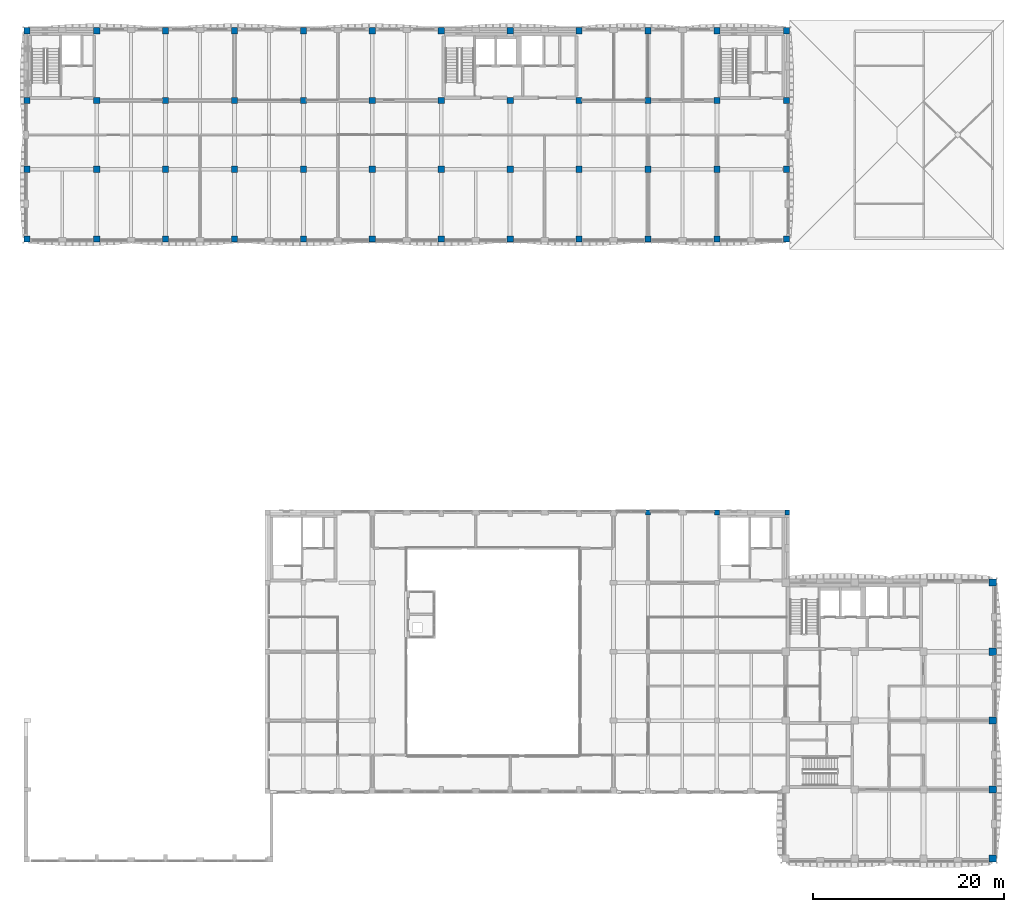
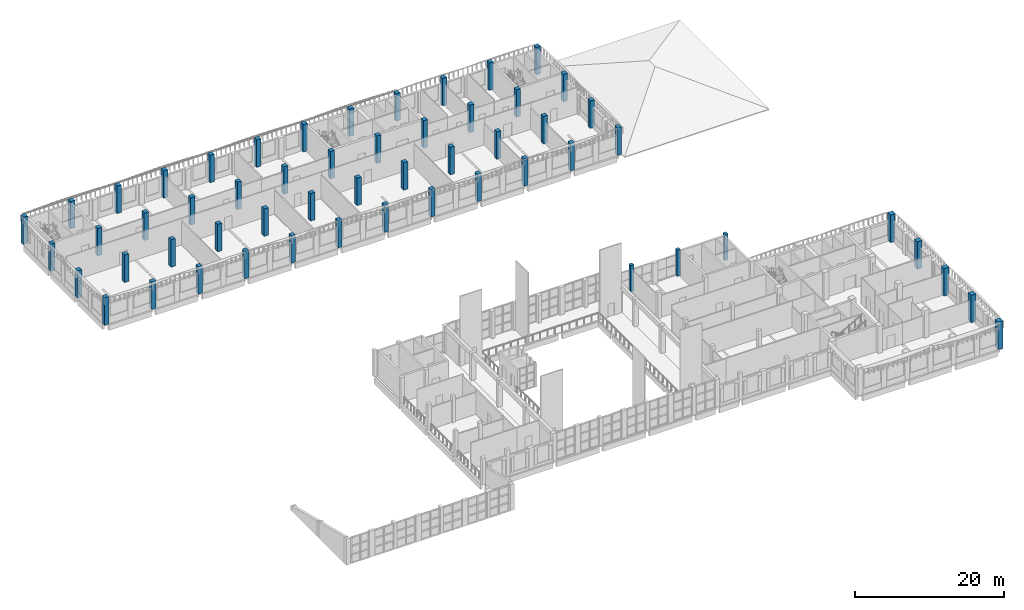
# One storey, part 2 of 54: 56 columns.
"""IFC4 building model written with IfcOpenShell, lengths in metres."""

import ifcopenshell
import ifcopenshell.guid

model = None  # the IFC model being written
_history = None  # IfcOwnerHistory: only IFC2X3 demands one
_inside = {}  # id of a spatial element -> (the spatial element, [elements in it])
_under = {}  # id of a project, library or spatial element -> (it, [spatial elements below it])
_declared = {}  # id of a project -> (the project, [libraries it declares])
_typed = {}  # id of a type object -> (the type object, [elements of that type])
_made_of = {}  # id of a material, layer set ... -> (it, [elements and type objects made of it])


def new_model(schema):
    """Start an empty IFC model of exactly this schema.

    Asked for "IFC4X3", IfcOpenShell would pick the latest addendum, in which some entities
    have other attributes; the version numbers below select the first issue.
    IFC2X3 requires an IfcOwnerHistory on every rooted entity: one is made here for all.
    """
    global model, _history
    if schema == "IFC4X3":
        model = ifcopenshell.file(schema_version=(4, 3, 0, 0))
    else:
        model = ifcopenshell.file(schema=schema)
    _inside.clear()
    _under.clear()
    _declared.clear()
    _typed.clear()
    _made_of.clear()
    _history = None
    if model.schema == "IFC2X3":
        org = make("IfcOrganization", Name="unknown")
        user = make(
            "IfcPersonAndOrganization",
            ThePerson=make("IfcPerson", FamilyName="unknown"),
            TheOrganization=org,
        )
        app = make(
            "IfcApplication",
            ApplicationDeveloper=org,
            Version="unknown",
            ApplicationFullName="unknown",
            ApplicationIdentifier="unknown",
        )
        _history = make(
            "IfcOwnerHistory",
            OwningUser=user,
            OwningApplication=app,
            ChangeAction="ADDED",
            CreationDate=0,
        )
    return model


def make(cls, **values):
    """One entity of the class cls with the attributes given. An attribute that is None is left unset."""
    return model.create_entity(
        cls, **{name: value for name, value in values.items() if value is not None}
    )


def rooted(cls, **values):
    """An entity with a GlobalId (a new one), such as an element, a storey or a relation."""
    return make(cls, GlobalId=ifcopenshell.guid.new(), OwnerHistory=_history, **values)


def si_unit(unit_type, name, prefix=None):
    """IfcSIUnit, for example si_unit("LENGTHUNIT", "METRE", prefix="MILLI")."""
    return make("IfcSIUnit", UnitType=unit_type, Prefix=prefix, Name=name)


def assignment(units):
    """IfcUnitAssignment: the units of a project."""
    return None if units is None else make("IfcUnitAssignment", Units=units)


def point(xyz):
    """IfcCartesianPoint."""
    return None if xyz is None else make("IfcCartesianPoint", Coordinates=xyz)


def direction(xyz):
    """IfcDirection."""
    return None if xyz is None else make("IfcDirection", DirectionRatios=xyz)


def frame(location, z_axis=None, x_axis=None):
    """IfcAxis2Placement3D, a coordinate frame: its origin and axes. An axis left out is left unset."""
    return make(
        "IfcAxis2Placement3D",
        Location=point(location),
        Axis=direction(z_axis),
        RefDirection=direction(x_axis),
    )


def frame_2d(location, x_axis=None):
    """IfcAxis2Placement2D, a coordinate frame in the plane: its origin and x axis."""
    return make(
        "IfcAxis2Placement2D", Location=point(location), RefDirection=direction(x_axis)
    )


def origin():
    """The frame at (0, 0, 0) with its axes left unset."""
    return frame((0.0, 0.0, 0.0))


def origin_2d():
    """The frame at (0, 0) in the plane with its x axis left unset."""
    return frame_2d((0.0, 0.0))


def place(relative_to, where):
    """IfcLocalPlacement: puts the frame where relative to a parent placement (None: the world)."""
    return make(
        "IfcLocalPlacement", PlacementRelTo=relative_to, RelativePlacement=where
    )


def context(
    kind, dimensions, precision=None, world=None, true_north=None, identifier=None
):
    """IfcGeometricRepresentationContext, for example the 3D "Model" context."""
    return make(
        "IfcGeometricRepresentationContext",
        ContextIdentifier=identifier,
        ContextType=kind,
        CoordinateSpaceDimension=dimensions,
        Precision=precision,
        WorldCoordinateSystem=world,
        TrueNorth=true_north,
    )


def subcontext(parent, identifier, kind, view, scale=None):
    """IfcGeometricRepresentationSubContext, for example "Body" below "Model"."""
    return make(
        "IfcGeometricRepresentationSubContext",
        ContextIdentifier=identifier,
        ContextType=kind,
        ParentContext=parent,
        TargetScale=scale,
        TargetView=view,
    )


def project(units=None, contexts=None):
    """IfcProject with its units and contexts."""
    return rooted(
        "IfcProject",
        Name="project",
        RepresentationContexts=contexts,
        UnitsInContext=assignment(units),
    )


def spatial(cls, under=None, at=None, **own):
    """A site, building, storey or space (cls), placed at a placement, below another one or the project."""
    s = rooted(cls, ObjectPlacement=at, **own)
    if under is not None:
        _under.setdefault(under.id(), (under, []))[1].append(s)
    return s


def profile(cls, at=None, kind="AREA", **sizes):
    """A parametric profile (cls). Its sizes go by their IFC names, for example OverallWidth=200.0."""
    return make(cls, ProfileType=kind, Position=at, **sizes)


def rectangle(**sizes):
    """IfcRectangleProfileDef."""
    return profile("IfcRectangleProfileDef", **sizes)


def extrude(swept, where, along, depth):
    """IfcExtrudedAreaSolid: the profile swept, set in the frame where, extruded along a direction by depth."""
    return make(
        "IfcExtrudedAreaSolid",
        SweptArea=swept,
        Position=where,
        ExtrudedDirection=direction(along),
        Depth=depth,
    )


def shape(context_of_items, identifier, shape_type, items):
    """IfcShapeRepresentation: the items that make up one representation, for example the "Body"."""
    return make(
        "IfcShapeRepresentation",
        ContextOfItems=context_of_items,
        RepresentationIdentifier=identifier,
        RepresentationType=shape_type,
        Items=items,
    )


def material(Name=None, Category=None):
    """IfcMaterial."""
    return make("IfcMaterial", Name=Name, Category=Category)


def material_profile(
    of_material, cross_section, Name=None, Category=None, Priority=None
):
    """IfcMaterialProfile: a cross section and its material."""
    return make(
        "IfcMaterialProfile",
        Name=Name,
        Material=of_material,
        Profile=cross_section,
        Priority=Priority,
        Category=Category,
    )


def profile_set(profiles, Name=None, composite=None):
    """IfcMaterialProfileSet."""
    return make(
        "IfcMaterialProfileSet",
        Name=Name,
        MaterialProfiles=profiles,
        CompositeProfile=composite,
    )


def made_of(thing, what):
    """Note that an element or type object is made of a material, layer set ...; save() writes the relation."""
    if what is not None:
        _made_of.setdefault(what.id(), (what, []))[1].append(thing)
    return thing


def type_object(cls, material=None, **own):
    """A type object (cls), such as IfcWallType, which elements share."""
    return made_of(rooted(cls, **own), material)


def element(
    cls,
    number,
    at=None,
    inside=None,
    cuts=None,
    type_object=None,
    material=None,
    context=None,
    identifier="Body",
    shape_type=None,
    held_by="IfcProductDefinitionShape",
    body=None,
    shapes=None,
    **own,
):
    """One element of the class cls, such as IfcWall. Its Tag is "e" and its number.

    at: its placement. inside: the storey or other place that contains it. cuts: it is an
    opening in that element (IfcRelVoidsElement). A single representation is given by context,
    identifier, shape_type and body (its items); several are given by shapes. held_by: the class
    of the entity that holds the representations. save() writes the other relations.
    """
    e = rooted(cls, Tag="e%d" % number, ObjectPlacement=at, **own)
    if body is not None:
        shapes = [shape(context, identifier, shape_type, body)]
    if shapes is not None:
        e.Representation = make(held_by, Representations=shapes)
    if inside is not None:
        _inside.setdefault(inside.id(), (inside, []))[1].append(e)
    if cuts is not None:
        rooted(
            "IfcRelVoidsElement", RelatingBuildingElement=cuts, RelatedOpeningElement=e
        )
    if type_object is not None:
        _typed.setdefault(type_object.id(), (type_object, []))[1].append(e)
    return made_of(e, material)


def aggregate(whole, parts):
    """IfcRelAggregates: a whole, such as a stair, and the parts it consists of."""
    return rooted("IfcRelAggregates", RelatingObject=whole, RelatedObjects=parts)


def save(model, path):
    """Write the relations noted so far, then the file.

    IfcRelAggregates (storeys below a building ...), IfcRelContainedInSpatialStructure (elements
    in a storey), IfcRelDefinesByType, IfcRelAssociatesMaterial and IfcRelDeclares: one each for
    every whole, place, type object, material and project.
    """
    for whole, parts in _under.values():
        aggregate(whole, parts)
    for where, things in _inside.values():
        rooted(
            "IfcRelContainedInSpatialStructure",
            RelatedElements=things,
            RelatingStructure=where,
        )
    for kind, things in _typed.values():
        rooted("IfcRelDefinesByType", RelatedObjects=things, RelatingType=kind)
    for what, things in _made_of.values():
        rooted("IfcRelAssociatesMaterial", RelatedObjects=things, RelatingMaterial=what)
    for by, libraries in _declared.values():
        rooted("IfcRelDeclares", RelatingContext=by, RelatedDefinitions=libraries)
    model.write(path)


model = new_model("IFC4")

# Units and contexts
model_context = context("Model", 3, precision=1e-05, world=origin(), true_north=direction((0.0, 1.0)))
body_context = subcontext(model_context, "Body", "Model", "MODEL_VIEW")
ifc_project = project(units=[si_unit("LENGTHUNIT", "METRE"), si_unit("AREAUNIT", "SQUARE_METRE"), si_unit("VOLUMEUNIT", "CUBIC_METRE"), si_unit("PLANEANGLEUNIT", "RADIAN"), si_unit("MASSUNIT", "GRAM", prefix="KILO")], contexts=[model_context])

# Site, building, storey
site_placement = place(None, origin())
site = spatial("IfcSite", under=ifc_project, at=site_placement, CompositionType="ELEMENT")
building_placement = place(site_placement, origin())
building = spatial("IfcBuilding", under=site, at=building_placement, Name="Ussher Court Research Institute", CompositionType="ELEMENT")
storey_placement = place(building_placement, frame((0.0, 0.0, 14.39990234375)))
storey = spatial("IfcBuildingStorey", under=building, at=storey_placement, Name="L03", CompositionType="ELEMENT", Elevation=14.39990234375)

# Columns
ifc_material_1 = material(Name="Concrete C35/45", Category="concrete")
ifc_material_profile_1 = material_profile(ifc_material_1, rectangle(XDim=0.5, YDim=0.5, at=origin_2d()), Name="RC 500x500")
ifc_profile_set_1 = profile_set([ifc_material_profile_1], Name="Concrete C35/45")
column_type_1 = type_object("IfcColumnType", Name="RC 500x500 column", PredefinedType="COLUMN", material=ifc_profile_set_1)
for number, where, z_axis, x_axis, name in (
    (1, (67.800048828125, 40.14990234375, 0.0), (0.0, 0.0, 1.0), (1.0, 0.0, 0.0), "C5 V7 L03-15"),
    (2, (75.0, 40.14990234375, 0.0), (0.0, 0.0, 1.0), (1.0, 0.0, 0.0), "C5 V7 L03-20"),
    (3, (82.35009765625, 40.14990234375, 0.0), (0.0, 0.0, 1.0), (1.0, 0.0, 0.0), "C5 V7 L03-21"),
):
    element("IfcColumn", number, at=place(storey_placement, frame(where, z_axis=z_axis, x_axis=x_axis)), inside=storey, type_object=column_type_1, Name=name, PredefinedType="COLUMN", context=body_context, shape_type="SweptSolid", body=[
        extrude(rectangle(XDim=0.5, YDim=0.5, at=origin_2d()), origin(), (0.0, 0.0, 1.0), 4.300048828125),
    ])
ifc_material_2 = material(Name="Concrete C35/45", Category="concrete")
ifc_material_profile_2 = material_profile(ifc_material_2, rectangle(XDim=0.64990234375, YDim=0.64990234375, at=origin_2d()), Name="RC 650x650")
ifc_profile_set_2 = profile_set([ifc_material_profile_2], Name="Concrete C35/45")
column_type_2 = type_object("IfcColumnType", Name="RC 650x650 column", PredefinedType="COLUMN", material=ifc_profile_set_2)
for number, where, z_axis, x_axis, name in (
    (4, (2.925048828125, 68.72509765625, 0.0), (0.0, 0.0, 1.0), (1.0, 0.0, 0.0), "C65 V5 L03-01"),
    (5, (2.925048828125, 76.0, 0.0), (0.0, 0.0, 1.0), (1.0, 0.0, 0.0), "C65 V5 L03-02"),
    (6, (2.925048828125, 83.199951171875, 0.0), (0.0, 0.0, 1.0), (1.0, 0.0, 0.0), "C65 V5 L03-03"),
    (7, (2.925048828125, 90.47509765625, 0.0), (0.0, 0.0, 1.0), (1.0, 0.0, 0.0), "C65 V5 L03-04"),
    (8, (10.199951171875, 68.72509765625, 0.0), (0.0, 0.0, 1.0), (1.0, 0.0, 0.0), "C65 V5 L03-05"),
    (9, (10.199951171875, 76.0, 0.0), (0.0, 0.0, 1.0), (1.0, 0.0, 0.0), "C65 V5 L03-06"),
    (10, (10.199951171875, 83.199951171875, 0.0), (0.0, 0.0, 1.0), (1.0, 0.0, 0.0), "C65 V5 L03-07"),
    (11, (10.199951171875, 90.47509765625, 0.0), (0.0, 0.0, 1.0), (1.0, 0.0, 0.0), "C65 V5 L03-08"),
    (12, (17.39990234375, 68.72509765625, 0.0), (0.0, 0.0, 1.0), (1.0, 0.0, 0.0), "C65 V5 L03-09"),
    (13, (17.39990234375, 76.0, 0.0), (0.0, 0.0, 1.0), (1.0, 0.0, 0.0), "C65 V5 L03-10"),
    (14, (17.39990234375, 83.199951171875, 0.0), (0.0, 0.0, 1.0), (1.0, 0.0, 0.0), "C65 V5 L03-11"),
    (15, (17.39990234375, 90.47509765625, 0.0), (0.0, 0.0, 1.0), (1.0, 0.0, 0.0), "C65 V5 L03-12"),
    (16, (24.60009765625, 68.72509765625, 0.0), (0.0, 0.0, 1.0), (1.0, 0.0, 0.0), "C65 V5 L03-13"),
    (17, (24.60009765625, 76.0, 0.0), (0.0, 0.0, 1.0), (1.0, 0.0, 0.0), "C65 V5 L03-14"),
    (18, (24.60009765625, 83.199951171875, 0.0), (0.0, 0.0, 1.0), (1.0, 0.0, 0.0), "C65 V5 L03-15"),
    (19, (24.60009765625, 90.47509765625, 0.0), (0.0, 0.0, 1.0), (1.0, 0.0, 0.0), "C65 V5 L03-16"),
    (20, (31.800048828125, 68.72509765625, 0.0), (0.0, 0.0, 1.0), (1.0, 0.0, 0.0), "C65 V5 L03-17"),
    (21, (31.800048828125, 76.0, 0.0), (0.0, 0.0, 1.0), (1.0, 0.0, 0.0), "C65 V5 L03-18"),
    (22, (31.800048828125, 83.199951171875, 0.0), (0.0, 0.0, 1.0), (1.0, 0.0, 0.0), "C65 V5 L03-19"),
    (23, (31.800048828125, 90.47509765625, 0.0), (0.0, 0.0, 1.0), (1.0, 0.0, 0.0), "C65 V5 L03-20"),
    (24, (39.0, 68.72509765625, 0.0), (0.0, 0.0, 1.0), (1.0, 0.0, 0.0), "C65 V5 L03-21"),
    (25, (39.0, 76.0, 0.0), (0.0, 0.0, 1.0), (1.0, 0.0, 0.0), "C65 V5 L03-22"),
    (26, (39.0, 83.199951171875, 0.0), (0.0, 0.0, 1.0), (1.0, 0.0, 0.0), "C65 V5 L03-23"),
    (27, (39.0, 90.47509765625, 0.0), (0.0, 0.0, 1.0), (1.0, 0.0, 0.0), "C65 V5 L03-24"),
    (28, (46.199951171875, 68.72509765625, 0.0), (0.0, 0.0, 1.0), (1.0, 0.0, 0.0), "C65 V5 L03-25"),
    (29, (46.199951171875, 76.0, 0.0), (0.0, 0.0, 1.0), (1.0, 0.0, 0.0), "C65 V5 L03-26"),
    (30, (46.199951171875, 83.199951171875, 0.0), (0.0, 0.0, 1.0), (1.0, 0.0, 0.0), "C65 V5 L03-27"),
    (31, (46.199951171875, 90.47509765625, 0.0), (0.0, 0.0, 1.0), (1.0, 0.0, 0.0), "C65 V5 L03-28"),
    (32, (53.39990234375, 68.72509765625, 0.0), (0.0, 0.0, 1.0), (1.0, 0.0, 0.0), "C65 V5 L03-29"),
    (33, (53.39990234375, 76.0, 0.0), (0.0, 0.0, 1.0), (1.0, 0.0, 0.0), "C65 V5 L03-30"),
    (34, (53.39990234375, 83.199951171875, 0.0), (0.0, 0.0, 1.0), (1.0, 0.0, 0.0), "C65 V5 L03-31"),
    (35, (53.39990234375, 90.47509765625, 0.0), (0.0, 0.0, 1.0), (1.0, 0.0, 0.0), "C65 V5 L03-32"),
    (36, (60.60009765625, 68.72509765625, 0.0), (0.0, 0.0, 1.0), (1.0, 0.0, 0.0), "C65 V5 L03-33"),
    (37, (60.60009765625, 76.0, 0.0), (0.0, 0.0, 1.0), (1.0, 0.0, 0.0), "C65 V5 L03-34"),
    (38, (60.60009765625, 83.199951171875, 0.0), (0.0, 0.0, 1.0), (1.0, 0.0, 0.0), "C65 V5 L03-35"),
    (39, (60.60009765625, 90.47509765625, 0.0), (0.0, 0.0, 1.0), (1.0, 0.0, 0.0), "C65 V5 L03-36"),
    (40, (67.800048828125, 68.72509765625, 0.0), (0.0, 0.0, 1.0), (1.0, 0.0, 0.0), "C65 V5 L03-37"),
    (41, (67.800048828125, 76.0, 0.0), (0.0, 0.0, 1.0), (1.0, 0.0, 0.0), "C65 V5 L03-38"),
    (42, (67.800048828125, 83.199951171875, 0.0), (0.0, 0.0, 1.0), (1.0, 0.0, 0.0), "C65 V5 L03-39"),
    (43, (67.800048828125, 90.47509765625, 0.0), (0.0, 0.0, 1.0), (1.0, 0.0, 0.0), "C65 V5 L03-40"),
    (44, (75.0, 68.72509765625, 0.0), (0.0, 0.0, 1.0), (1.0, 0.0, 0.0), "C65 V5 L03-41"),
    (45, (75.0, 76.0, 0.0), (0.0, 0.0, 1.0), (1.0, 0.0, 0.0), "C65 V5 L03-42"),
    (46, (75.0, 83.199951171875, 0.0), (0.0, 0.0, 1.0), (1.0, 0.0, 0.0), "C65 V5 L03-43"),
    (47, (75.0, 90.47509765625, 0.0), (0.0, 0.0, 1.0), (1.0, 0.0, 0.0), "C65 V5 L03-44"),
    (48, (82.27490234375, 68.72509765625, 0.0), (0.0, 0.0, 1.0), (1.0, 0.0, 0.0), "C65 V5 L03-45"),
    (49, (82.27490234375, 76.0, 0.0), (0.0, 0.0, 1.0), (1.0, 0.0, 0.0), "C65 V5 L03-46"),
    (50, (82.27490234375, 83.199951171875, 0.0), (0.0, 0.0, 1.0), (1.0, 0.0, 0.0), "C65 V5 L03-47"),
    (51, (82.27490234375, 90.47509765625, 0.0), (0.0, 0.0, 1.0), (1.0, 0.0, 0.0), "C65 V5 L03-48"),
):
    element("IfcColumn", number, at=place(storey_placement, frame(where, z_axis=z_axis, x_axis=x_axis)), inside=storey, type_object=column_type_2, Name=name, PredefinedType="COLUMN", context=body_context, shape_type="SweptSolid", body=[
        extrude(rectangle(XDim=0.64990234375, YDim=0.64990234375, at=origin_2d()), origin(), (0.0, 0.0, 1.0), 4.5),
    ])
ifc_material_3 = material(Name="Concrete C35/45", Category="concrete")
ifc_material_profile_3 = material_profile(ifc_material_3, rectangle(XDim=0.75, YDim=0.75, at=origin_2d()), Name="RC 750x750")
ifc_profile_set_3 = profile_set([ifc_material_profile_3], Name="Concrete C35/45")
column_type_3 = type_object("IfcColumnType", Name="RC 750x750 column", PredefinedType="COLUMN", material=ifc_profile_set_3)
for number, where, z_axis, x_axis, name in (
    (52, (103.824951171875, 3.97509765625, 0.0), (0.0, 0.0, 1.0), (1.0, 0.0, 0.0), "C75 V4 L03-16"),
    (53, (103.824951171875, 11.199951171875, 0.0), (0.0, 0.0, 1.0), (1.0, 0.0, 0.0), "C75 V4 L03-17"),
    (54, (103.824951171875, 18.39990234375, 0.0), (0.0, 0.0, 1.0), (1.0, 0.0, 0.0), "C75 V4 L03-18"),
    (55, (103.824951171875, 25.60009765625, 0.0), (0.0, 0.0, 1.0), (1.0, 0.0, 0.0), "C75 V4 L03-19"),
    (56, (103.824951171875, 32.824951171875, 0.0), (0.0, 0.0, 1.0), (1.0, 0.0, 0.0), "C75 V4 L03-20"),
):
    element("IfcColumn", number, at=place(storey_placement, frame(where, z_axis=z_axis, x_axis=x_axis)), inside=storey, type_object=column_type_3, Name=name, PredefinedType="COLUMN", context=body_context, shape_type="SweptSolid", body=[
        extrude(rectangle(XDim=0.75, YDim=0.75, at=origin_2d()), origin(), (0.0, 0.0, 1.0), 4.5),
    ])

save(model, "model.ifc")
